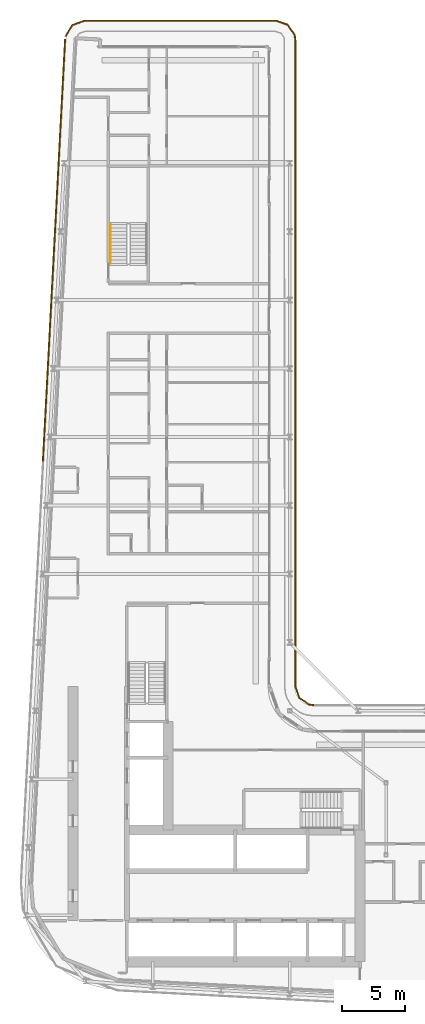
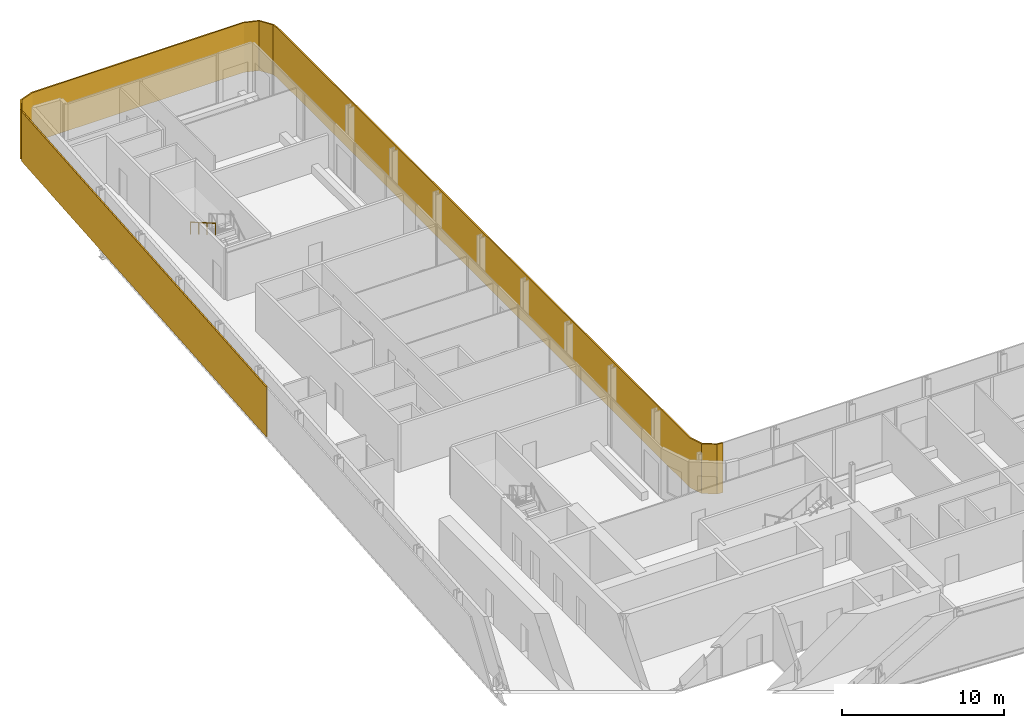
# One storey, part 27 of 29: 2 shading devices, 1 railing.
"""IFC4 building model written with IfcOpenShell, lengths in metres."""

from ifc_helpers import new_model, si_unit, direction, frame, origin, origin_2d, place, context, subcontext, project, spatial, polyline, rectangle, circle, outline, extrude, material, layer, layer_set, type_object, element, save


model = new_model("IFC4")

# Units and contexts
model_context = context("Model", 3, precision=1e-05, world=origin(), true_north=direction((0.0, 1.0)))
body_context = subcontext(model_context, "Body", "Model", "MODEL_VIEW")
ifc_project = project(units=[si_unit("LENGTHUNIT", "METRE"), si_unit("AREAUNIT", "SQUARE_METRE"), si_unit("VOLUMEUNIT", "CUBIC_METRE"), si_unit("PLANEANGLEUNIT", "RADIAN"), si_unit("MASSUNIT", "GRAM", prefix="KILO")], contexts=[model_context])

# Site, building, storey
site_placement = place(None, origin())
site = spatial("IfcSite", under=ifc_project, at=site_placement, CompositionType="ELEMENT")
building_placement = place(site_placement, origin())
building = spatial("IfcBuilding", under=site, at=building_placement, Name="Kheshtan School and Residences Tower", CompositionType="ELEMENT")
storey_placement = place(building_placement, frame((0.0, 0.0, 168.199951171875)))
storey = spatial("IfcBuildingStorey", under=building, at=storey_placement, Name="L39", CompositionType="ELEMENT", Elevation=168.199951171875)

# Shading devices
ifc_material_1 = material(Name="Terracotta baguette, extruded ceramic", Category="masonry")
ifc_layer_1 = layer(ifc_material_1, 0.10009765625)
ifc_layer_set_1 = layer_set([ifc_layer_1], Name="Ledge screen, terracotta baguettes")
shading_device_type_1 = type_object("IfcShadingDeviceType", Name="Ledge screen, terracotta baguettes", PredefinedType="USERDEFINED", material=ifc_layer_set_1)
shading_device_1_placement = place(storey_placement, frame((28.9990234375, 81.93408203125, 0.0), z_axis=(0.0, 0.0, 1.0), x_axis=(0.052562536748, 0.998617634398, 0.0)))
element("IfcShadingDevice", 1, at=shading_device_1_placement, inside=storey, type_object=shading_device_type_1, Name="Screen L39 5", ObjectType="BAGUETTE", PredefinedType="USERDEFINED", context=body_context, shape_type="SweptSolid", body=[
    extrude(rectangle(XDim=33.341064453125, YDim=0.10009765625, at=origin_2d()), origin(), (0.0, 0.0, 1.0), 3.75),
])
ifc_material_2 = material(Name="Terracotta lattice, extruded ceramic", Category="masonry")
ifc_layer_2 = layer(ifc_material_2, 0.10009765625)
ifc_layer_set_2 = layer_set([ifc_layer_2], Name="Loggia screen, terracotta lattice")
shading_device_type_2 = type_object("IfcShadingDeviceType", Name="Loggia screen, terracotta lattice", PredefinedType="USERDEFINED", material=ifc_layer_set_2)
shading_device_2_placement = place(storey_placement, origin())
element("IfcShadingDevice", 2, at=shading_device_2_placement, inside=storey, type_object=shading_device_type_2, Name="Screen L39 1", ObjectType="SCREEN", PredefinedType="USERDEFINED", context=body_context, shape_type="SweptSolid", body=[
    extrude(outline(polyline([(29.949951171875, 98.783935546875), (30.468017578125, 99.656982421875), (31.423095703125, 100.0), (46.5, 100.0), (47.4130859375, 99.68994140625), (47.948974609375, 98.887939453125), (48.0, 98.5), (48.0, 47.5), (48.31005859375, 46.5869140625), (49.112060546875, 46.051025390625), (49.5, 46.0), (49.512939453125, 46.09912109375), (49.14794921875, 46.14697265625), (48.39404296875, 46.65087890625), (48.10009765625, 47.51708984375), (48.10009765625, 98.507080078125), (48.044921875, 98.924072265625), (47.47705078125, 99.77392578125), (46.51708984375, 100.10009765625), (31.406005859375, 100.10009765625), (30.39990234375, 99.739013671875), (29.864013671875, 98.8349609375), (29.949951171875, 98.783935546875)])), origin(), (0.0, 0.0, 1.0), 3.75),
])

# Railing
ifc_material_3 = material(Name="Stainless steel handrail", Category="steel")
railing_type = type_object("IfcRailingType", Name="Stair handrail 900", PredefinedType="HANDRAIL", material=ifc_material_3)
railing_placement = place(storey_placement, frame((33.449951171875, 83.97998046875, 2.112548828125)))
element("IfcRailing", 3, at=railing_placement, inside=storey, type_object=railing_type, Name="L39 ST3 stair handrail 2", PredefinedType="HANDRAIL", context=body_context, shape_type="SweptSolid", body=[
    extrude(circle(Radius=0.02392578125, at=origin_2d()), frame((0.0, 0.0, 0.8759765625), z_axis=(0.0, -0.864890721111, 0.501960198159), x_axis=(1.0, 0.0, 0.0)), (0.0, 0.0, 1.0), 3.561279296875),
    extrude(circle(Radius=0.02099609375, at=origin_2d()), origin(), (0.0, 0.0, 1.0), 0.851806640625),
    extrude(circle(Radius=0.02099609375, at=origin_2d()), frame((0.0, -1.026611328125, 0.595947265625)), (0.0, 0.0, 1.0), 0.851806640625),
    extrude(circle(Radius=0.02099609375, at=origin_2d()), frame((0.0, -2.053466796875, 1.191650390625)), (0.0, 0.0, 1.0), 0.851806640625),
    extrude(circle(Radius=0.02099609375, at=origin_2d()), frame((0.0, -3.080078125, 1.78759765625)), (0.0, 0.0, 1.0), 0.851806640625),
])

save(model, "model.ifc")
